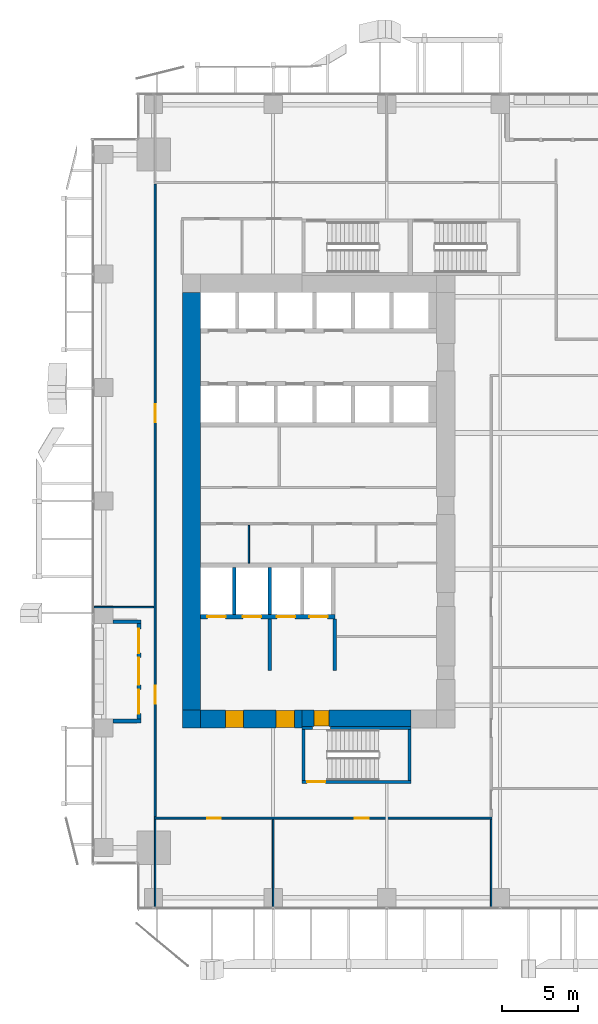
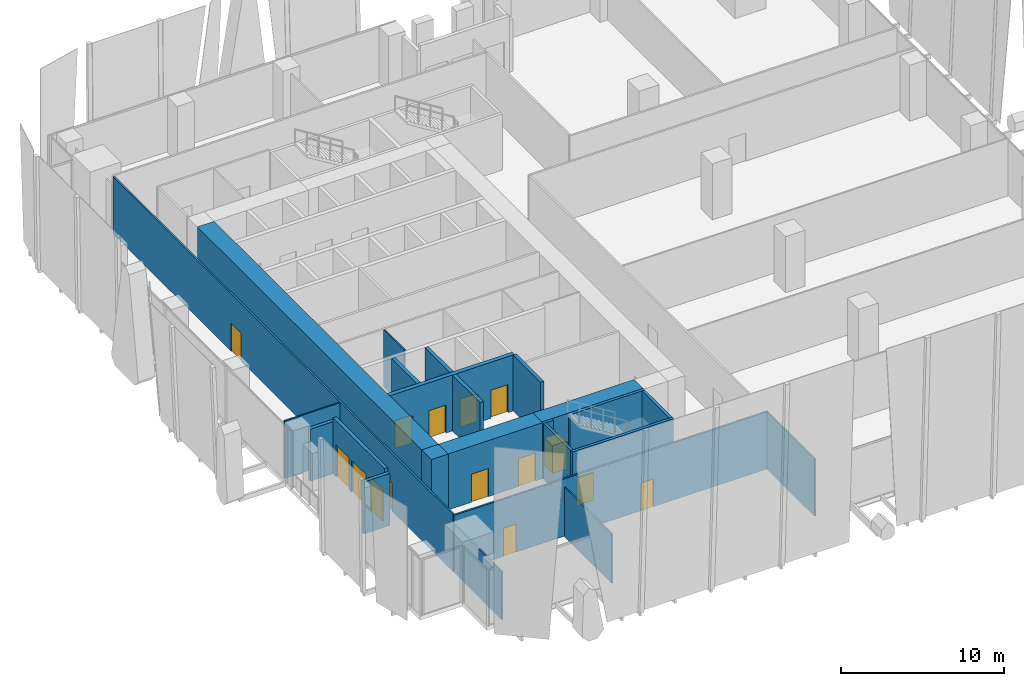
# One storey, part 27 of 35: 24 walls, 13 doors, 2 windows, 15 openings.
"""IFC4 building model written with IfcOpenShell, lengths in metres."""

from ifc_helpers import new_model, si_unit, direction, frame, frame_2d, origin, place, context, subcontext, project, spatial, rectangle, extrude, source, transform, mapped, material, layer, layer_set, type_object, element, fill, save


model = new_model("IFC4")

# Units and contexts
model_context = context("Model", 3, precision=1e-05, world=origin(), true_north=direction((0.0, 1.0)))
body_context = subcontext(model_context, "Body", "Model", "MODEL_VIEW")
ifc_project = project(units=[si_unit("LENGTHUNIT", "METRE"), si_unit("AREAUNIT", "SQUARE_METRE"), si_unit("VOLUMEUNIT", "CUBIC_METRE"), si_unit("PLANEANGLEUNIT", "RADIAN"), si_unit("MASSUNIT", "GRAM", prefix="KILO")], contexts=[model_context])

# Site, building, storey
site_placement = place(None, origin())
site = spatial("IfcSite", under=ifc_project, at=site_placement, CompositionType="ELEMENT")
building_placement = place(site_placement, origin())
building = spatial("IfcBuilding", under=site, at=building_placement, Name="Khomas Fold Tower", CompositionType="ELEMENT")
storey_placement = place(building_placement, frame((0.0, 0.0, 87.0)))
storey = spatial("IfcBuildingStorey", under=building, at=storey_placement, Name="L18", CompositionType="ELEMENT", Elevation=87.0)

# Wall, openings, doors
ifc_material_1 = material(Name="Concrete C70/85", Category="concrete")
ifc_layer_1 = layer(ifc_material_1, 1.199951171875)
ifc_layer_set_1 = layer_set([ifc_layer_1], Name="Concrete C70/85")
wall_type_1 = type_object("IfcWallType", Name="Core wall 1200", PredefinedType="SHEAR", material=ifc_layer_set_1)
shared_shape_1 = source(origin(), body_context, "Body", "SweptSolid", [
    extrude(rectangle(XDim=6.699951171875, YDim=1.199951171875, at=frame_2d((3.35009765625, 0.0))), origin(), (0.0, 0.0, 1.0), 4.199951171875),
])
wall_1_placement = place(storey_placement, frame((7.199951171875, 12.60009765625, 0.0), z_axis=(0.0, 0.0, 1.0), x_axis=(1.0, 0.0, 0.0)))
wall_1 = element("IfcWall", 1, at=wall_1_placement, inside=storey, type_object=wall_type_1, Name="Core wall CW-L-S-B2", PredefinedType="SHEAR", context=body_context, shape_type="MappedRepresentation", body=[
    mapped(shared_shape_1, transform((0.0, 0.0, 0.0))),
])
shared_shape_2 = source(origin(), body_context, "Body", "SweptSolid", [
    extrude(rectangle(XDim=1.199951171875, YDim=2.10009765625, at=frame_2d((0.60009765625, 1.050048828125))), frame((0.0, 0.60986328125, 0.0), z_axis=(0.0, -1.0, 0.0), x_axis=(1.0, 0.0, 0.0)), (0.0, 0.0, 1.0), 1.219970703125),
])
opening_1_placement = place(wall_1_placement, frame((5.0, 0.0, 0.0)))
opening_1 = element("IfcOpeningElement", 2, at=opening_1_placement, cuts=wall_1, Name="Opening 0009", PredefinedType="OPENING", context=body_context, shape_type="MappedRepresentation", body=[
    mapped(shared_shape_2, transform((0.0, 0.0, 0.0))),
])
opening_2_placement = place(wall_1_placement, frame((1.64990234375, 0.0, 0.0)))
opening_2 = element("IfcOpeningElement", 3, at=opening_2_placement, cuts=wall_1, Name="Opening 0009", PredefinedType="OPENING", context=body_context, shape_type="MappedRepresentation", body=[
    mapped(shared_shape_2, transform((0.0, 0.0, 0.0))),
])
ifc_material_2 = material(Name="Steel door leaf", Category="steel")
door_type_1 = type_object("IfcDoorType", Name="Lobby door 1200x2100 right-hand", OperationType="SINGLE_SWING_RIGHT", PredefinedType="DOOR", material=ifc_material_2)
shared_shape_3 = source(origin(), body_context, "Body", "SweptSolid", [
    extrude(rectangle(XDim=1.199951171875, YDim=2.10009765625, at=frame_2d((0.60009765625, 1.050048828125))), frame((0.0, 0.5498046875, 0.0), z_axis=(0.0, -1.0, 0.0), x_axis=(1.0, 0.0, 0.0)), (0.0, 0.0, 1.0), 1.099853515625),
])
door_1_placement = place(opening_1_placement, origin())
door_1 = element("IfcDoor", 4, at=door_1_placement, inside=storey, type_object=door_type_1, Name="Lobby door", OperationType="SINGLE_SWING_RIGHT", OverallHeight=2.10009765625, OverallWidth=1.199951171875, PredefinedType="DOOR", context=body_context, shape_type="MappedRepresentation", body=[
    mapped(shared_shape_3, transform((0.0, 0.0, 0.0))),
])
fill(opening_1, door_1)
door_2_placement = place(opening_2_placement, origin())
door_2 = element("IfcDoor", 5, at=door_2_placement, inside=storey, type_object=door_type_1, Name="Lobby door", OperationType="SINGLE_SWING_RIGHT", OverallHeight=2.10009765625, OverallWidth=1.199951171875, PredefinedType="DOOR", context=body_context, shape_type="MappedRepresentation", body=[
    mapped(shared_shape_3, transform((0.0, 0.0, 0.0))),
])
fill(opening_2, door_2)

# Wall
ifc_material_3 = material(Name="Concrete C70/85", Category="concrete")
ifc_layer_2 = layer(ifc_material_3, 1.199951171875)
ifc_layer_set_2 = layer_set([ifc_layer_2], Name="Concrete C70/85")
wall_type_2 = type_object("IfcWallType", Name="Core corner wall 1200", PredefinedType="SHEAR", material=ifc_layer_set_2)
shared_shape_4 = source(origin(), body_context, "Body", "SweptSolid", [
    extrude(rectangle(XDim=1.199951171875, YDim=1.199951171875, at=frame_2d((0.60009765625, 0.0))), origin(), (0.0, 0.0, 1.0), 4.199951171875),
])
wall_2_placement = place(storey_placement, frame((6.0, 12.60009765625, 0.0), z_axis=(0.0, 0.0, 1.0), x_axis=(1.0, 0.0, 0.0)))
element("IfcWall", 6, at=wall_2_placement, inside=storey, type_object=wall_type_2, Name="Core wall CW-L-SW-B2", PredefinedType="SHEAR", context=body_context, shape_type="MappedRepresentation", body=[
    mapped(shared_shape_4, transform((0.0, 0.0, 0.0))),
])

# Wall, opening, door
ifc_material_4 = material(Name="Concrete C70/85", Category="concrete")
ifc_layer_3 = layer(ifc_material_4, 1.10009765625)
ifc_layer_set_3 = layer_set([ifc_layer_3], Name="Concrete C70/85")
wall_type_3 = type_object("IfcWallType", Name="Core wall 1100", PredefinedType="SHEAR", material=ifc_layer_set_3)
shared_shape_5 = source(origin(), body_context, "Body", "SweptSolid", [
    extrude(rectangle(XDim=7.2001953125, YDim=1.10009765625, at=frame_2d((3.60009765625, 0.0))), origin(), (0.0, 0.0, 1.0), 4.199951171875),
])
wall_3_placement = place(storey_placement, frame((13.89990234375, 12.64990234375, 0.0), z_axis=(0.0, 0.0, 1.0), x_axis=(1.0, 0.0, 0.0)))
wall_3 = element("IfcWall", 7, at=wall_3_placement, inside=storey, type_object=wall_type_3, Name="Core wall CW-L-S-B2-1", PredefinedType="SHEAR", context=body_context, shape_type="MappedRepresentation", body=[
    mapped(shared_shape_5, transform((0.0, 0.0, 0.0))),
])
shared_shape_6 = source(origin(), body_context, "Body", "SweptSolid", [
    extrude(rectangle(XDim=1.0, YDim=2.10009765625, at=frame_2d((0.5, 1.050048828125))), frame((0.0, 0.56005859375, 0.0), z_axis=(0.0, -1.0, 0.0), x_axis=(1.0, 0.0, 0.0)), (0.0, 0.0, 1.0), 1.1201171875),
])
opening_3_placement = place(wall_3_placement, frame((0.800048828125, 0.0, 0.0)))
opening_3 = element("IfcOpeningElement", 8, at=opening_3_placement, cuts=wall_3, Name="Opening 0010", PredefinedType="OPENING", context=body_context, shape_type="MappedRepresentation", body=[
    mapped(shared_shape_6, transform((0.0, 0.0, 0.0))),
])
ifc_material_5 = material(Name="Steel door leaf", Category="steel")
door_type_2 = type_object("IfcDoorType", Name="Stair door 1000x2100 right-hand", OperationType="SINGLE_SWING_RIGHT", PredefinedType="DOOR", material=ifc_material_5)
shared_shape_7 = source(origin(), body_context, "Body", "SweptSolid", [
    extrude(rectangle(XDim=1.0, YDim=2.10009765625, at=frame_2d((0.5, 1.050048828125))), frame((0.0, 0.5, 0.0), z_axis=(0.0, -1.0, 0.0), x_axis=(1.0, 0.0, 0.0)), (0.0, 0.0, 1.0), 1.0),
])
door_3_placement = place(opening_3_placement, origin())
door_3 = element("IfcDoor", 9, at=door_3_placement, inside=storey, type_object=door_type_2, Name="Stair door", OperationType="SINGLE_SWING_RIGHT", OverallHeight=2.10009765625, OverallWidth=1.0, PredefinedType="DOOR", context=body_context, shape_type="MappedRepresentation", body=[
    mapped(shared_shape_7, transform((0.0, 0.0, 0.0))),
])
fill(opening_3, door_3)

# Walls
shared_shape_8 = source(origin(), body_context, "Body", "SweptSolid", [
    extrude(rectangle(XDim=27.60009765625, YDim=1.199951171875, at=frame_2d((13.800048828125, 0.0))), origin(), (0.0, 0.0, 1.0), 4.199951171875),
])
wall_4_placement = place(storey_placement, frame((6.60009765625, 13.199951171875, 0.0), z_axis=(0.0, 0.0, 1.0), x_axis=(0.0, 1.0, 0.0)))
element("IfcWall", 10, at=wall_4_placement, inside=storey, type_object=wall_type_1, Name="Core wall CW-L-W-B2", PredefinedType="SHEAR", context=body_context, shape_type="MappedRepresentation", body=[
    mapped(shared_shape_8, transform((0.0, 0.0, 0.0))),
])
ifc_material_6 = material(Name="Concrete C50/60", Category="concrete")
ifc_layer_4 = layer(ifc_material_6, 0.199951171875)
ifc_layer_set_4 = layer_set([ifc_layer_4], Name="Concrete C50/60")
wall_type_4 = type_object("IfcWallType", Name="Stair wall 200", PredefinedType="SHEAR", material=ifc_layer_set_4)
shared_shape_9 = source(origin(), body_context, "Body", "SweptSolid", [
    extrude(rectangle(XDim=0.7001953125, YDim=0.199951171875, at=frame_2d((0.35009765625, 0.0))), origin(), (0.0, 0.0, 1.0), 4.199951171875),
])
wall_5_placement = place(storey_placement, frame((13.89990234375, 12.0, 0.0), z_axis=(0.0, 0.0, 1.0), x_axis=(1.0, 0.0, 0.0)))
element("IfcWall", 11, at=wall_5_placement, inside=storey, type_object=wall_type_4, Name="Stair wall SW-ST2-N", PredefinedType="SHEAR", context=body_context, shape_type="MappedRepresentation", body=[
    mapped(shared_shape_9, transform((0.0, 0.0, 0.0))),
])
shared_shape_10 = source(origin(), body_context, "Body", "SweptSolid", [
    extrude(rectangle(XDim=5.300048828125, YDim=0.199951171875, at=frame_2d((2.64990234375, 0.0))), origin(), (0.0, 0.0, 1.0), 4.199951171875),
])
wall_6_placement = place(storey_placement, frame((15.800048828125, 12.0, 0.0), z_axis=(0.0, 0.0, 1.0), x_axis=(1.0, 0.0, 0.0)))
element("IfcWall", 12, at=wall_6_placement, inside=storey, type_object=wall_type_4, Name="Stair wall SW-ST2-NB", PredefinedType="SHEAR", context=body_context, shape_type="MappedRepresentation", body=[
    mapped(shared_shape_10, transform((0.0, 0.0, 0.0))),
])

# Wall, opening, door
shared_shape_11 = source(origin(), body_context, "Body", "SweptSolid", [
    extrude(rectangle(XDim=7.2001953125, YDim=0.199951171875, at=frame_2d((3.60009765625, 0.0))), origin(), (0.0, 0.0, 1.0), 4.199951171875),
])
wall_7_placement = place(storey_placement, frame((13.89990234375, 8.449951171875, 0.0), z_axis=(0.0, 0.0, 1.0), x_axis=(1.0, 0.0, 0.0)))
wall_7 = element("IfcWall", 13, at=wall_7_placement, inside=storey, type_object=wall_type_4, Name="Stair wall SW-ST2-S", PredefinedType="SHEAR", context=body_context, shape_type="MappedRepresentation", body=[
    mapped(shared_shape_11, transform((0.0, 0.0, 0.0))),
])
shared_shape_12 = source(origin(), body_context, "Body", "SweptSolid", [
    extrude(rectangle(XDim=1.199951171875, YDim=2.10009765625, at=frame_2d((0.60009765625, 1.050048828125))), frame((0.0, 0.10986328125, 0.0), z_axis=(0.0, -1.0, 0.0), x_axis=(1.0, 0.0, 0.0)), (0.0, 0.0, 1.0), 0.219970703125),
])
opening_4_placement = place(wall_7_placement, frame((0.35009765625, 0.0, 0.0)))
opening_4 = element("IfcOpeningElement", 14, at=opening_4_placement, cuts=wall_7, Name="Opening SD-ST2", PredefinedType="OPENING", context=body_context, shape_type="MappedRepresentation", body=[
    mapped(shared_shape_12, transform((0.0, 0.0, 0.0))),
])
ifc_material_7 = material(Name="Steel door leaf", Category="steel")
door_type_3 = type_object("IfcDoorType", Name="Stair door 1200x2100 right-hand", OperationType="SINGLE_SWING_RIGHT", PredefinedType="DOOR", material=ifc_material_7)
shared_shape_13 = source(origin(), body_context, "Body", "SweptSolid", [
    extrude(rectangle(XDim=1.199951171875, YDim=2.10009765625, at=frame_2d((0.60009765625, 1.050048828125))), frame((0.0, 0.02490234375, 0.0), z_axis=(0.0, -1.0, 0.0), x_axis=(1.0, 0.0, 0.0)), (0.0, 0.0, 1.0), 0.050048828125),
])
door_4_placement = place(opening_4_placement, origin())
door_4 = element("IfcDoor", 15, at=door_4_placement, inside=storey, type_object=door_type_3, Name="Stair door", OperationType="SINGLE_SWING_RIGHT", OverallHeight=2.10009765625, OverallWidth=1.199951171875, PredefinedType="DOOR", context=body_context, shape_type="MappedRepresentation", body=[
    mapped(shared_shape_13, transform((0.0, 0.0, 0.0))),
])
fill(opening_4, door_4)

# Walls
shared_shape_14 = source(origin(), body_context, "Body", "SweptSolid", [
    extrude(rectangle(XDim=3.349853515625, YDim=0.199951171875, at=frame_2d((1.6748046875, 0.0))), origin(), (0.0, 0.0, 1.0), 4.199951171875),
])
for number, where, z_axis, x_axis, name in (
    (16, (21.0, 8.550048828125, 0.0), (0.0, 0.0, 1.0), (0.0, 1.0, 0.0), "Stair wall SW-ST2-E"),
    (17, (14.0, 8.550048828125, 0.0), (0.0, 0.0, 1.0), (0.0, 1.0, 0.0), "Stair wall SW-ST2-W"),
):
    element("IfcWall", number, at=place(storey_placement, frame(where, z_axis=z_axis, x_axis=x_axis)), inside=storey, type_object=wall_type_4, Name=name, PredefinedType="SHEAR", context=body_context, shape_type="MappedRepresentation", body=[
        mapped(shared_shape_14, transform((0.0, 0.0, 0.0))),
    ])

# Wall, openings, doors
ifc_material_8 = material(Name="Concrete C50/60", Category="concrete")
ifc_layer_5 = layer(ifc_material_8, 0.300048828125)
ifc_layer_set_5 = layer_set([ifc_layer_5], Name="Concrete C50/60")
wall_type_5 = type_object("IfcWallType", Name="Shaft wall 300", PredefinedType="STANDARD", material=ifc_layer_set_5)
shared_shape_15 = source(origin(), body_context, "Body", "SweptSolid", [
    extrude(rectangle(XDim=8.875, YDim=0.300048828125, at=frame_2d((4.4375, 0.0))), origin(), (0.0, 0.0, 1.0), 4.199951171875),
])
wall_8_placement = place(storey_placement, frame((7.199951171875, 19.35009765625, 0.0), z_axis=(0.0, 0.0, 1.0), x_axis=(1.0, 0.0, 0.0)))
wall_8 = element("IfcWall", 18, at=wall_8_placement, inside=storey, type_object=wall_type_5, Name="Core wall SW-FS-F", PredefinedType="STANDARD", context=body_context, shape_type="MappedRepresentation", body=[
    mapped(shared_shape_15, transform((0.0, 0.0, 0.0))),
])
shared_shape_16 = source(origin(), body_context, "Body", "SweptSolid", [
    extrude(rectangle(XDim=1.199951171875, YDim=2.10009765625, at=frame_2d((0.60009765625, 1.050048828125))), frame((0.0, 0.159912109375, 0.0), z_axis=(0.0, -1.0, 0.0), x_axis=(1.0, 0.0, 0.0)), (0.0, 0.0, 1.0), 0.320068359375),
])
opening_5_placement = place(wall_8_placement, frame((0.449951171875, 0.0, 0.0)))
opening_5 = element("IfcOpeningElement", 19, at=opening_5_placement, cuts=wall_8, Name="Opening LD-SV1", PredefinedType="OPENING", context=body_context, shape_type="MappedRepresentation", body=[
    mapped(shared_shape_16, transform((0.0, 0.0, 0.0))),
])
opening_6_placement = place(wall_8_placement, frame((2.800048828125, 0.0, 0.0)))
opening_6 = element("IfcOpeningElement", 20, at=opening_6_placement, cuts=wall_8, Name="Opening LD-SV2", PredefinedType="OPENING", context=body_context, shape_type="MappedRepresentation", body=[
    mapped(shared_shape_16, transform((0.0, 0.0, 0.0))),
])
opening_7_placement = place(wall_8_placement, frame((5.050048828125, 0.0, 0.0)))
opening_7 = element("IfcOpeningElement", 21, at=opening_7_placement, cuts=wall_8, Name="Opening LD-FF1", PredefinedType="OPENING", context=body_context, shape_type="MappedRepresentation", body=[
    mapped(shared_shape_16, transform((0.0, 0.0, 0.0))),
])
opening_8_placement = place(wall_8_placement, frame((7.199951171875, 0.0, 0.0)))
opening_8 = element("IfcOpeningElement", 22, at=opening_8_placement, cuts=wall_8, Name="Opening LD-FF2", PredefinedType="OPENING", context=body_context, shape_type="MappedRepresentation", body=[
    mapped(shared_shape_16, transform((0.0, 0.0, 0.0))),
])
ifc_material_9 = material(Name="Steel door leaf", Category="steel")
door_type_4 = type_object("IfcDoorType", Name="Landing door 1200x2100", OperationType="DOUBLE_DOOR_SLIDING", PredefinedType="DOOR", material=ifc_material_9)
door_5_placement = place(opening_5_placement, origin())
door_5 = element("IfcDoor", 23, at=door_5_placement, inside=storey, type_object=door_type_4, Name="Lift landing door", OperationType="DOUBLE_DOOR_SLIDING", OverallHeight=2.10009765625, OverallWidth=1.199951171875, PredefinedType="DOOR", context=body_context, shape_type="MappedRepresentation", body=[
    mapped(shared_shape_13, transform((0.0, 0.0, 0.0))),
])
fill(opening_5, door_5)
door_6_placement = place(opening_6_placement, origin())
door_6 = element("IfcDoor", 24, at=door_6_placement, inside=storey, type_object=door_type_4, Name="Lift landing door", OperationType="DOUBLE_DOOR_SLIDING", OverallHeight=2.10009765625, OverallWidth=1.199951171875, PredefinedType="DOOR", context=body_context, shape_type="MappedRepresentation", body=[
    mapped(shared_shape_13, transform((0.0, 0.0, 0.0))),
])
fill(opening_6, door_6)
door_7_placement = place(opening_7_placement, origin())
door_7 = element("IfcDoor", 25, at=door_7_placement, inside=storey, type_object=door_type_4, Name="Lift landing door", OperationType="DOUBLE_DOOR_SLIDING", OverallHeight=2.10009765625, OverallWidth=1.199951171875, PredefinedType="DOOR", context=body_context, shape_type="MappedRepresentation", body=[
    mapped(shared_shape_13, transform((0.0, 0.0, 0.0))),
])
fill(opening_7, door_7)
door_8_placement = place(opening_8_placement, origin())
door_8 = element("IfcDoor", 26, at=door_8_placement, inside=storey, type_object=door_type_4, Name="Lift landing door", OperationType="DOUBLE_DOOR_SLIDING", OverallHeight=2.10009765625, OverallWidth=1.199951171875, PredefinedType="DOOR", context=body_context, shape_type="MappedRepresentation", body=[
    mapped(shared_shape_13, transform((0.0, 0.0, 0.0))),
])
fill(opening_8, door_8)

# Walls
ifc_material_10 = material(Name="Concrete C50/60", Category="concrete")
ifc_layer_6 = layer(ifc_material_10, 0.25)
ifc_layer_set_6 = layer_set([ifc_layer_6], Name="Concrete C50/60")
wall_type_6 = type_object("IfcWallType", Name="Shaft wall 250", PredefinedType="STANDARD", material=ifc_layer_set_6)
shared_shape_17 = source(origin(), body_context, "Body", "SweptSolid", [
    extrude(rectangle(XDim=3.10009765625, YDim=0.25, at=frame_2d((1.550048828125, 0.0))), origin(), (0.0, 0.0, 1.0), 4.199951171875),
])
for number, where, z_axis, x_axis, name in (
    (27, (9.425048828125, 19.5, 0.0), (0.0, 0.0, 1.0), (0.0, 1.0, 0.0), "Core wall SW-FS-P1"),
    (28, (11.77490234375, 19.5, 0.0), (0.0, 0.0, 1.0), (0.0, 1.0, 0.0), "Core wall SW-FS-P2"),
):
    element("IfcWall", number, at=place(storey_placement, frame(where, z_axis=z_axis, x_axis=x_axis)), inside=storey, type_object=wall_type_6, Name=name, PredefinedType="STANDARD", context=body_context, shape_type="MappedRepresentation", body=[
        mapped(shared_shape_17, transform((0.0, 0.0, 0.0))),
    ])
ifc_material_11 = material(Name="Concrete C50/60", Category="concrete")
ifc_layer_7 = layer(ifc_material_11, 0.25)
ifc_layer_set_7 = layer_set([ifc_layer_7], Name="Concrete C50/60")
wall_type_7 = type_object("IfcWallType", Name="Lobby wall 250", PredefinedType="STANDARD", material=ifc_layer_set_7)
shared_shape_18 = source(origin(), body_context, "Body", "SweptSolid", [
    extrude(rectangle(XDim=3.39990234375, YDim=0.25, at=frame_2d((1.699951171875, 0.0))), origin(), (0.0, 0.0, 1.0), 4.199951171875),
])
for number, where, z_axis, x_axis, name in (
    (29, (16.074951171875, 15.800048828125, 0.0), (0.0, 0.0, 1.0), (0.0, 1.0, 0.0), "Core wall SW-FS-LOB-E"),
    (30, (11.77490234375, 15.800048828125, 0.0), (0.0, 0.0, 1.0), (0.0, 1.0, 0.0), "Core wall SW-FS-SEP"),
):
    element("IfcWall", number, at=place(storey_placement, frame(where, z_axis=z_axis, x_axis=x_axis)), inside=storey, type_object=wall_type_7, Name=name, PredefinedType="STANDARD", context=body_context, shape_type="MappedRepresentation", body=[
        mapped(shared_shape_18, transform((0.0, 0.0, 0.0))),
    ])
ifc_material_12 = material(Name="Natural stone", Category="masonry")
ifc_layer_8 = layer(ifc_material_12, 0.0400390625)
ifc_material_13 = material(Name="Mineral wool insulation", Category="insulation")
ifc_layer_9 = layer(ifc_material_13, 0.10009765625)
ifc_material_14 = material(Name="Masonry", Category="masonry")
ifc_layer_10 = layer(ifc_material_14, 0.110107421875)
ifc_layer_set_8 = layer_set([ifc_layer_8, ifc_layer_9, ifc_layer_10], Name="Stone-faced insulated masonry")
wall_type_8 = type_object("IfcWallType", Name="BL-Balcony wall", PredefinedType="SOLIDWALL", material=ifc_layer_set_8)
shared_shape_19 = source(origin(), body_context, "Body", "SweptSolid", [
    extrude(rectangle(XDim=1.85009765625, YDim=0.25, at=frame_2d((0.925048828125, 0.0))), origin(), (0.0, 0.0, 1.0), 3.89990234375),
])
for number, where, z_axis, x_axis, name in (
    (31, (1.39990234375, 12.47509765625, 0.0), (0.0, 0.0, 1.0), (1.0, 0.0, 0.0), "Balcony return wall BAL-L18-W1-lo"),
    (32, (1.39990234375, 19.02490234375, 0.0), (0.0, 0.0, 1.0), (1.0, 0.0, 0.0), "Balcony return wall BAL-L18-W1-hi"),
):
    element("IfcWall", number, at=place(storey_placement, frame(where, z_axis=z_axis, x_axis=x_axis)), inside=storey, type_object=wall_type_8, Name=name, PredefinedType="SOLIDWALL", context=body_context, shape_type="MappedRepresentation", body=[
        mapped(shared_shape_19, transform((0.0, 0.0, 0.0))),
    ])

# Wall, openings, windows, door
shared_shape_20 = source(origin(), body_context, "Body", "SweptSolid", [
    extrude(rectangle(XDim=6.2998046875, YDim=0.25, at=frame_2d((3.14990234375, 0.0))), origin(), (0.0, 0.0, 1.0), 4.199951171875),
])
wall_9_placement = place(storey_placement, frame((3.125, 12.60009765625, 0.0), z_axis=(0.0, 0.0, 1.0), x_axis=(0.0, 1.0, 0.0)))
wall_9 = element("IfcWall", 33, at=wall_9_placement, inside=storey, type_object=wall_type_8, Name="Balcony wall BAL-L18-W1", PredefinedType="SOLIDWALL", context=body_context, shape_type="MappedRepresentation", body=[
    mapped(shared_shape_20, transform((0.0, 0.0, 0.0))),
])
shared_shape_21 = source(origin(), body_context, "Body", "SweptSolid", [
    extrude(rectangle(XDim=1.60009765625, YDim=2.39990234375, at=frame_2d((0.800048828125, 1.199951171875))), frame((0.0, 0.135009765625, 0.0), z_axis=(0.0, -1.0, 0.0), x_axis=(1.0, 0.0, 0.0)), (0.0, 0.0, 1.0), 0.27001953125),
])
opening_9_placement = place(wall_9_placement, frame((0.35009765625, 0.0, 0.0)))
opening_9 = element("IfcOpeningElement", 34, at=opening_9_placement, cuts=wall_9, Name="Opening BL-W1", PredefinedType="OPENING", context=body_context, shape_type="MappedRepresentation", body=[
    mapped(shared_shape_21, transform((0.0, 0.0, 0.0))),
])
opening_10_placement = place(wall_9_placement, frame((4.35009765625, 0.0, 0.0)))
opening_10 = element("IfcOpeningElement", 35, at=opening_10_placement, cuts=wall_9, Name="Opening BL-W1", PredefinedType="OPENING", context=body_context, shape_type="MappedRepresentation", body=[
    mapped(shared_shape_21, transform((0.0, 0.0, 0.0))),
])
shared_shape_22 = source(origin(), body_context, "Body", "SweptSolid", [
    extrude(rectangle(XDim=1.800048828125, YDim=2.39990234375, at=frame_2d((0.89990234375, 1.199951171875))), frame((0.0, 0.135009765625, 0.0), z_axis=(0.0, -1.0, 0.0), x_axis=(1.0, 0.0, 0.0)), (0.0, 0.0, 1.0), 0.27001953125),
])
opening_11_placement = place(wall_9_placement, frame((2.25, 0.0, 0.0)))
opening_11 = element("IfcOpeningElement", 36, at=opening_11_placement, cuts=wall_9, Name="Opening BD181", PredefinedType="OPENING", context=body_context, shape_type="MappedRepresentation", body=[
    mapped(shared_shape_22, transform((0.0, 0.0, 0.0))),
])
ifc_material_15 = material(Name="Aluminium framed double glazing", Category="aluminium")
window_type = type_object("IfcWindowType", Name="BL-Fixed glazing 1600 x 2400", PartitioningType="SINGLE_PANEL", PredefinedType="WINDOW", material=ifc_material_15)
shared_shape_23 = source(origin(), body_context, "Body", "SweptSolid", [
    extrude(rectangle(XDim=1.60009765625, YDim=2.39990234375, at=frame_2d((0.800048828125, 1.199951171875))), frame((0.0, 0.030029296875, 0.0), z_axis=(0.0, -1.0, 0.0), x_axis=(1.0, 0.0, 0.0)), (0.0, 0.0, 1.0), 0.06005859375),
])
window_1_placement = place(opening_9_placement, origin())
window_1 = element("IfcWindow", 37, at=window_1_placement, inside=storey, type_object=window_type, Name="Balcony glazing BAL-L18-W1-1", OverallHeight=2.39990234375, OverallWidth=1.60009765625, PartitioningType="SINGLE_PANEL", PredefinedType="WINDOW", context=body_context, shape_type="MappedRepresentation", body=[
    mapped(shared_shape_23, transform((0.0, 0.0, 0.0))),
])
fill(opening_9, window_1)
window_2_placement = place(opening_10_placement, origin())
window_2 = element("IfcWindow", 38, at=window_2_placement, inside=storey, type_object=window_type, Name="Balcony glazing BAL-L18-W1-2", OverallHeight=2.39990234375, OverallWidth=1.60009765625, PartitioningType="SINGLE_PANEL", PredefinedType="WINDOW", context=body_context, shape_type="MappedRepresentation", body=[
    mapped(shared_shape_23, transform((0.0, 0.0, 0.0))),
])
fill(opening_10, window_2)
ifc_material_16 = material(Name="Aluminium framed double glazing", Category="aluminium")
door_type_5 = type_object("IfcDoorType", Name="BL-Glazed balcony door 1800 x 2400", OperationType="DOUBLE_DOOR_DOUBLE_SWING", PredefinedType="DOOR", material=ifc_material_16)
shared_shape_24 = source(origin(), body_context, "Body", "SweptSolid", [
    extrude(rectangle(XDim=1.800048828125, YDim=2.39990234375, at=frame_2d((0.89990234375, 1.199951171875))), frame((0.0, 0.02490234375, 0.0), z_axis=(0.0, -1.0, 0.0), x_axis=(1.0, 0.0, 0.0)), (0.0, 0.0, 1.0), 0.050048828125),
])
door_9_placement = place(opening_11_placement, origin())
door_9 = element("IfcDoor", 39, at=door_9_placement, inside=storey, type_object=door_type_5, Name="Balcony door BD181", OperationType="DOUBLE_DOOR_DOUBLE_SWING", OverallHeight=2.39990234375, OverallWidth=1.800048828125, PredefinedType="DOOR", context=body_context, shape_type="MappedRepresentation", body=[
    mapped(shared_shape_24, transform((0.0, 0.0, 0.0))),
])
fill(opening_11, door_9)

# Walls
ifc_material_17 = material(Name="Plasterboard partition")
ifc_layer_11 = layer(ifc_material_17, 0.10009765625)
ifc_layer_set_9 = layer_set([ifc_layer_11], Name="Plasterboard partition")
wall_type_9 = type_object("IfcWallType", Name="Partition PW1 100", PredefinedType="PARTITIONING", material=ifc_layer_set_9)
shared_shape_25 = source(origin(), body_context, "Body", "SweptSolid", [
    extrude(rectangle(XDim=5.800048828125, YDim=0.10009765625, at=frame_2d((2.89990234375, 0.0))), origin(), (0.0, 0.0, 1.0), 3.60009765625),
])
wall_10_placement = place(storey_placement, frame((4.199951171875, 0.14990234375, 0.0), z_axis=(0.0, 0.0, 1.0), x_axis=(0.0, 1.0, 0.0)))
element("IfcWall", 40, at=wall_10_placement, inside=storey, type_object=wall_type_9, Name="Partition", PredefinedType="PARTITIONING", context=body_context, shape_type="MappedRepresentation", body=[
    mapped(shared_shape_25, transform((0.0, 0.0, 0.0))),
])
shared_shape_26 = source(origin(), body_context, "Body", "SweptSolid", [
    extrude(rectangle(XDim=5.800048828125, YDim=0.10009765625, at=frame_2d((2.89990234375, 0.0))), origin(), (0.0, 0.0, 1.0), 3.699951171875),
])
wall_11_placement = place(storey_placement, frame((12.0, 0.14990234375, 0.0), z_axis=(0.0, 0.0, 1.0), x_axis=(0.0, 1.0, 0.0)))
element("IfcWall", 41, at=wall_11_placement, inside=storey, type_object=wall_type_9, Name="Partition", PredefinedType="PARTITIONING", context=body_context, shape_type="MappedRepresentation", body=[
    mapped(shared_shape_26, transform((0.0, 0.0, 0.0))),
])
shared_shape_27 = source(origin(), body_context, "Body", "SweptSolid", [
    extrude(rectangle(XDim=3.9501953125, YDim=0.10009765625, at=frame_2d((1.97509765625, 0.0))), origin(), (0.0, 0.0, 1.0), 4.300048828125),
])
wall_12_placement = place(storey_placement, frame((0.14990234375, 20.0, 0.0), z_axis=(0.0, 0.0, 1.0), x_axis=(1.0, 0.0, 0.0)))
element("IfcWall", 42, at=wall_12_placement, inside=storey, type_object=wall_type_9, Name="Partition", PredefinedType="PARTITIONING", context=body_context, shape_type="MappedRepresentation", body=[
    mapped(shared_shape_27, transform((0.0, 0.0, 0.0))),
])
shared_shape_28 = source(origin(), body_context, "Body", "SweptSolid", [
    extrude(rectangle(XDim=5.800048828125, YDim=0.10009765625, at=frame_2d((2.89990234375, 0.0))), origin(), (0.0, 0.0, 1.0), 4.300048828125),
])
wall_13_placement = place(storey_placement, frame((26.39990234375, 0.14990234375, 0.0), z_axis=(0.0, 0.0, 1.0), x_axis=(0.0, 1.0, 0.0)))
element("IfcWall", 43, at=wall_13_placement, inside=storey, type_object=wall_type_9, Name="Partition", PredefinedType="PARTITIONING", context=body_context, shape_type="MappedRepresentation", body=[
    mapped(shared_shape_28, transform((0.0, 0.0, 0.0))),
])

# Wall, openings, doors
ifc_material_18 = material(Name="Plasterboard partition")
ifc_layer_12 = layer(ifc_material_18, 0.125)
ifc_layer_set_10 = layer_set([ifc_layer_12], Name="Plasterboard partition")
wall_type_10 = type_object("IfcWallType", Name="Partition PW2 125", PredefinedType="PARTITIONING", material=ifc_layer_set_10)
shared_shape_29 = source(origin(), body_context, "Body", "SweptSolid", [
    extrude(rectangle(XDim=22.300048828125, YDim=0.125, at=frame_2d((11.14990234375, 0.0))), origin(), (0.0, 0.0, 1.0), 4.300048828125),
])
wall_14_placement = place(storey_placement, frame((4.14990234375, 6.050048828125, 0.0), z_axis=(0.0, 0.0, 1.0), x_axis=(1.0, 0.0, 0.0)))
wall_14 = element("IfcWall", 44, at=wall_14_placement, inside=storey, type_object=wall_type_10, Name="Partition", PredefinedType="PARTITIONING", context=body_context, shape_type="MappedRepresentation", body=[
    mapped(shared_shape_29, transform((0.0, 0.0, 0.0))),
])
shared_shape_30 = source(origin(), body_context, "Body", "SweptSolid", [
    extrude(rectangle(XDim=0.89990234375, YDim=2.10009765625, at=frame_2d((0.449951171875, 1.050048828125))), frame((0.0, 0.072509765625, 0.0), z_axis=(0.0, -1.0, 0.0), x_axis=(1.0, 0.0, 0.0)), (0.0, 0.0, 1.0), 0.14501953125),
])
opening_12_placement = place(wall_14_placement, frame((3.5, 0.0, 0.0)))
opening_12 = element("IfcOpeningElement", 45, at=opening_12_placement, cuts=wall_14, Name="Opening 0007", PredefinedType="OPENING", context=body_context, shape_type="MappedRepresentation", body=[
    mapped(shared_shape_30, transform((0.0, 0.0, 0.0))),
])
opening_13_placement = place(wall_14_placement, frame((13.25, 0.0, 0.0)))
opening_13 = element("IfcOpeningElement", 46, at=opening_13_placement, cuts=wall_14, Name="Opening 0007", PredefinedType="OPENING", context=body_context, shape_type="MappedRepresentation", body=[
    mapped(shared_shape_30, transform((0.0, 0.0, 0.0))),
])
ifc_material_19 = material(Name="Timber door leaf", Category="wood")
door_type_6 = type_object("IfcDoorType", Name="Door 900x2100 left-hand", OperationType="SINGLE_SWING_LEFT", PredefinedType="DOOR", material=ifc_material_19)
shared_shape_31 = source(origin(), body_context, "Body", "SweptSolid", [
    extrude(rectangle(XDim=0.89990234375, YDim=2.10009765625, at=frame_2d((0.449951171875, 1.050048828125))), frame((0.0, 0.02490234375, 0.0), z_axis=(0.0, -1.0, 0.0), x_axis=(1.0, 0.0, 0.0)), (0.0, 0.0, 1.0), 0.050048828125),
])
door_10_placement = place(opening_12_placement, origin())
door_10 = element("IfcDoor", 47, at=door_10_placement, inside=storey, type_object=door_type_6, Name="Door", OperationType="SINGLE_SWING_LEFT", OverallHeight=2.10009765625, OverallWidth=0.89990234375, PredefinedType="DOOR", context=body_context, shape_type="MappedRepresentation", body=[
    mapped(shared_shape_31, transform((0.0, 0.0, 0.0))),
])
fill(opening_12, door_10)
door_11_placement = place(opening_13_placement, origin())
door_11 = element("IfcDoor", 48, at=door_11_placement, inside=storey, type_object=door_type_6, Name="Door", OperationType="SINGLE_SWING_LEFT", OverallHeight=2.10009765625, OverallWidth=0.89990234375, PredefinedType="DOOR", context=body_context, shape_type="MappedRepresentation", body=[
    mapped(shared_shape_31, transform((0.0, 0.0, 0.0))),
])
fill(opening_13, door_11)

shared_shape_32 = source(origin(), body_context, "Body", "SweptSolid", [
    extrude(rectangle(XDim=41.800048828125, YDim=0.125, at=frame_2d((20.89990234375, 0.0))), origin(), (0.0, 0.0, 1.0), 4.300048828125),
])
wall_15_placement = place(storey_placement, frame((4.199951171875, 6.14990234375, 0.0), z_axis=(0.0, 0.0, 1.0), x_axis=(0.0, 1.0, 0.0)))
wall_15 = element("IfcWall", 49, at=wall_15_placement, inside=storey, type_object=wall_type_10, Name="Partition", PredefinedType="PARTITIONING", context=body_context, shape_type="MappedRepresentation", body=[
    mapped(shared_shape_32, transform((0.0, 0.0, 0.0))),
])
shared_shape_33 = source(origin(), body_context, "Body", "SweptSolid", [
    extrude(rectangle(XDim=1.199951171875, YDim=2.10009765625, at=frame_2d((0.60009765625, 1.050048828125))), frame((0.0, 0.072509765625, 0.0), z_axis=(0.0, -1.0, 0.0), x_axis=(1.0, 0.0, 0.0)), (0.0, 0.0, 1.0), 0.14501953125),
])
opening_14_placement = place(wall_15_placement, frame((7.449951171875, 0.0, 0.0)))
opening_14 = element("IfcOpeningElement", 50, at=opening_14_placement, cuts=wall_15, Name="Opening 0001", PredefinedType="OPENING", context=body_context, shape_type="MappedRepresentation", body=[
    mapped(shared_shape_33, transform((0.0, 0.0, 0.0))),
])
opening_15_placement = place(wall_15_placement, frame((26.050048828125, 0.0, 0.0)))
opening_15 = element("IfcOpeningElement", 51, at=opening_15_placement, cuts=wall_15, Name="Opening 0001", PredefinedType="OPENING", context=body_context, shape_type="MappedRepresentation", body=[
    mapped(shared_shape_33, transform((0.0, 0.0, 0.0))),
])
ifc_material_20 = material(Name="Timber door leaf", Category="wood")
door_type_7 = type_object("IfcDoorType", Name="Door 1200x2100 right-hand", OperationType="SINGLE_SWING_RIGHT", PredefinedType="DOOR", material=ifc_material_20)
door_12_placement = place(opening_14_placement, origin())
door_12 = element("IfcDoor", 52, at=door_12_placement, inside=storey, type_object=door_type_7, Name="Door", OperationType="SINGLE_SWING_RIGHT", OverallHeight=2.10009765625, OverallWidth=1.199951171875, PredefinedType="DOOR", context=body_context, shape_type="MappedRepresentation", body=[
    mapped(shared_shape_13, transform((0.0, 0.0, 0.0))),
])
fill(opening_14, door_12)
door_13_placement = place(opening_15_placement, origin())
door_13 = element("IfcDoor", 53, at=door_13_placement, inside=storey, type_object=door_type_7, Name="Door", OperationType="SINGLE_SWING_RIGHT", OverallHeight=2.10009765625, OverallWidth=1.199951171875, PredefinedType="DOOR", context=body_context, shape_type="MappedRepresentation", body=[
    mapped(shared_shape_13, transform((0.0, 0.0, 0.0))),
])
fill(opening_15, door_13)

# Wall
shared_shape_34 = source(origin(), body_context, "Body", "SweptSolid", [
    extrude(rectangle(XDim=2.5, YDim=0.10009765625, at=frame_2d((1.25, 0.0))), origin(), (0.0, 0.0, 1.0), 4.300048828125),
])
wall_16_placement = place(storey_placement, frame((10.39990234375, 22.89990234375, 0.0), z_axis=(0.0, 0.0, 1.0), x_axis=(0.0, 1.0, 0.0)))
element("IfcWall", 54, at=wall_16_placement, inside=storey, type_object=wall_type_9, Name="Partition", PredefinedType="PARTITIONING", context=body_context, shape_type="MappedRepresentation", body=[
    mapped(shared_shape_34, transform((0.0, 0.0, 0.0))),
])

save(model, "model.ifc")
